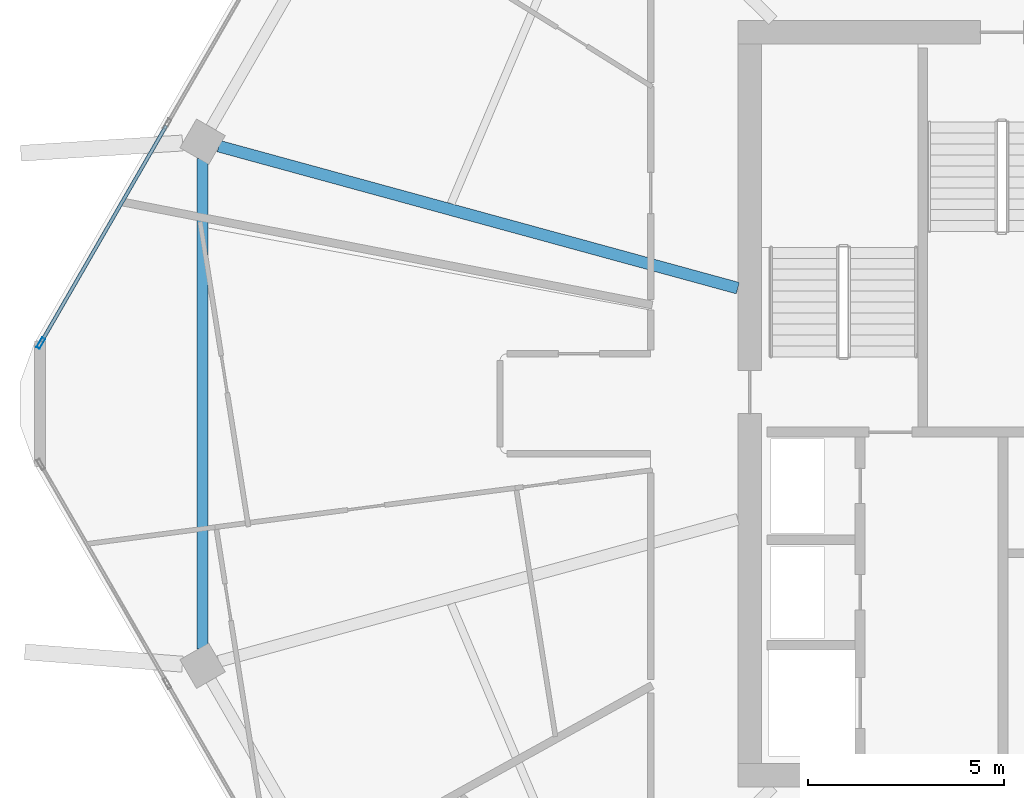
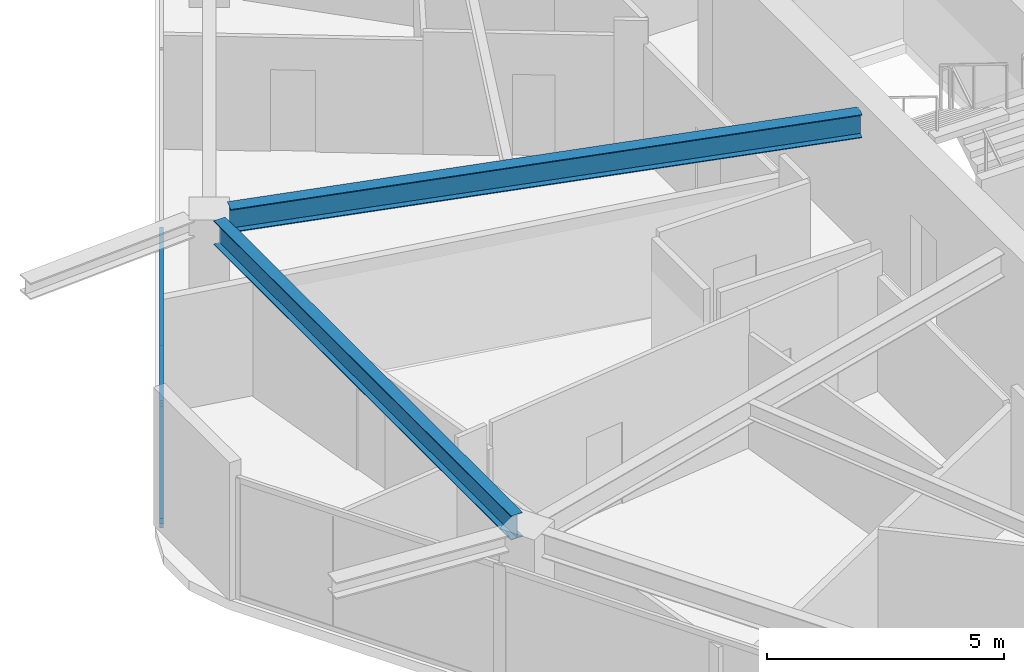
# One storey, part 6 of 26: 3 members, 2 beams, 1 element without a shape of its own.
"""IFC4 building model written with IfcOpenShell, lengths in metres."""

from ifc_helpers import new_model, si_unit, direction, frame, origin, origin_2d, place, context, subcontext, project, spatial, hollow_rectangle, i_section, extrude, material, material_profile, profile_set, type_object, element, aggregate, save


model = new_model("IFC4")

# Units and contexts
model_context = context("Model", 3, precision=1e-05, world=origin(), true_north=direction((0.0, 1.0)))
body_context = subcontext(model_context, "Body", "Model", "MODEL_VIEW")
ifc_project = project(units=[si_unit("LENGTHUNIT", "METRE"), si_unit("AREAUNIT", "SQUARE_METRE"), si_unit("VOLUMEUNIT", "CUBIC_METRE"), si_unit("PLANEANGLEUNIT", "RADIAN"), si_unit("MASSUNIT", "GRAM", prefix="KILO")], contexts=[model_context])

# Site, building, storey
site_placement = place(None, origin())
site = spatial("IfcSite", under=ifc_project, at=site_placement, CompositionType="ELEMENT")
building_placement = place(site_placement, origin())
building = spatial("IfcBuilding", under=site, at=building_placement, Name="Zuhravey Tower", CompositionType="ELEMENT")
storey_placement = place(building_placement, frame((0.0, 0.0, 288.199951171875)))
storey = spatial("IfcBuildingStorey", under=building, at=storey_placement, Name="L73", CompositionType="ELEMENT", Elevation=288.199951171875)

# Curtain wall, members
ifc_material_1 = material(Name="Thermally broken anodised aluminium", Category="aluminium")
curtain_wall_type = type_object("IfcCurtainWallType", Name="Zone 3-4 High-Rise Curtain Wall CW4", PredefinedType="NOTDEFINED", material=ifc_material_1)
curtain_wall_placement = place(storey_placement, origin())
curtain_wall = element("IfcCurtainWall", 1, at=curtain_wall_placement, inside=storey, type_object=curtain_wall_type, Name="L73 CW4 CW-L73-F3-1", PredefinedType="NOTDEFINED")
ifc_material_2 = material(Name="Anodised aluminium", Category="aluminium")
ifc_material_profile_1 = material_profile(ifc_material_2, hollow_rectangle(XDim=0.090087890625, YDim=0.284912109375, WallThickness=0.0048828125, at=origin_2d()), Name="ALU-RHS-90x285x5")
ifc_profile_set_1 = profile_set([ifc_material_profile_1], Name="Anodised aluminium")
member_type_1 = type_object("IfcMemberType", Name="Curtain-Wall Mullion 90x180", PredefinedType="MULLION", material=ifc_profile_set_1)
member_1_placement = place(storey_placement, frame((7.37744140625, 33.551513671875, 0.0), z_axis=(0.0, 0.0, 1.0), x_axis=(-0.866024851021, 0.500000957414, 0.0)))
member_1 = element("IfcMember", 2, at=member_1_placement, type_object=member_type_1, Name="CW4 mullion 1", PredefinedType="MULLION", context=body_context, shape_type="SweptSolid", body=[
    extrude(hollow_rectangle(XDim=0.090087890625, YDim=0.284912109375, WallThickness=0.0048828125, at=origin_2d()), origin(), (0.0, 0.0, 1.0), 3.1220703125),
])
ifc_material_profile_2 = material_profile(ifc_material_2, hollow_rectangle(XDim=0.090087890625, YDim=0.14990234375, WallThickness=0.0048828125, at=origin_2d()), Name="ALU-RHS-90x150x5")
ifc_profile_set_2 = profile_set([ifc_material_profile_2], Name="Anodised aluminium")
member_type_2 = type_object("IfcMemberType", Name="Curtain-Wall Transom 90x150", PredefinedType="USERDEFINED", material=ifc_profile_set_2)
member_2_placement = place(storey_placement, frame((7.39990234375, 33.59033203125, 0.045166015625), z_axis=(0.500008810174, 0.866020317169, 0.0), x_axis=(-0.866020317169, 0.500008810174, 0.0)))
member_2 = element("IfcMember", 3, at=member_2_placement, type_object=member_type_2, Name="CW4 transom 1.1", ObjectType="TRANSOM", PredefinedType="USERDEFINED", context=body_context, shape_type="SweptSolid", body=[
    extrude(hollow_rectangle(XDim=0.090087890625, YDim=0.14990234375, WallThickness=0.0048828125, at=origin_2d()), origin(), (0.0, 0.0, 1.0), 6.37158203125),
])
member_3_placement = place(storey_placement, frame((7.39990234375, 33.59033203125, 3.0771484375), z_axis=(0.500008810174, 0.866020317169, 0.0), x_axis=(-0.866020317169, 0.500008810174, 0.0)))
member_3 = element("IfcMember", 4, at=member_3_placement, type_object=member_type_2, Name="CW4 transom 1.2", ObjectType="TRANSOM", PredefinedType="USERDEFINED", context=body_context, shape_type="SweptSolid", body=[
    extrude(hollow_rectangle(XDim=0.090087890625, YDim=0.14990234375, WallThickness=0.0048828125, at=origin_2d()), origin(), (0.0, 0.0, 1.0), 6.37158203125),
])
aggregate(curtain_wall, [member_1, member_2, member_3])

# Beams
ifc_material_3 = material(Name="Steel SM355", Category="steel")
ifc_material_profile_3 = material_profile(ifc_material_3, i_section(OverallWidth=0.280029296875, OverallDepth=0.6201171875, WebThickness=0.011962890625, FlangeThickness=0.02001953125, at=origin_2d()), Name="H-620x280x12x20")
ifc_profile_set_3 = profile_set([ifc_material_profile_3], Name="Steel SM355")
beam_type_1 = type_object("IfcBeamType", Name="Perimeter Ring Beam H620x280", PredefinedType="BEAM", material=ifc_profile_set_3)
beam_1_placement = place(storey_placement, frame((11.515380859375, 38.27099609375, 3.239990234375), z_axis=(0.0, -1.0, 0.0), x_axis=(1.0, 0.0, 0.0)))
element("IfcBeam", 5, at=beam_1_placement, inside=storey, type_object=beam_type_1, Name="L73 PB3 BM-L73-PB-06", PredefinedType="BEAM", context=body_context, shape_type="SweptSolid", body=[
    extrude(i_section(OverallWidth=0.280029296875, OverallDepth=0.6201171875, WebThickness=0.011962890625, FlangeThickness=0.02001953125, at=origin_2d()), origin(), (0.0, 0.0, 1.0), 12.5419921875),
])
ifc_material_profile_4 = material_profile(ifc_material_3, i_section(OverallWidth=0.300048828125, OverallDepth=0.60009765625, WebThickness=0.011962890625, FlangeThickness=0.02001953125, at=origin_2d()), Name="H-600x300x12x20")
ifc_profile_set_4 = profile_set([ifc_material_profile_4], Name="Steel SM355")
beam_type_2 = type_object("IfcBeamType", Name="Radial Primary Girder H600x300", PredefinedType="BEAM", material=ifc_profile_set_4)
beam_2_placement = place(storey_placement, frame((25.197021484375, 34.95556640625, 3.25), z_axis=(-0.964549305009, 0.263902705947, 0.0), x_axis=(-0.263902705947, -0.964549305009, 0.0)))
element("IfcBeam", 6, at=beam_2_placement, inside=storey, type_object=beam_type_2, Name="L73 RG3 BM-L73-RAD-06", PredefinedType="BEAM", context=body_context, shape_type="SweptSolid", body=[
    extrude(i_section(OverallWidth=0.300048828125, OverallDepth=0.60009765625, WebThickness=0.011962890625, FlangeThickness=0.02001953125, at=origin_2d()), origin(), (0.0, 0.0, 1.0), 13.756591796875),
])

save(model, "model.ifc")
